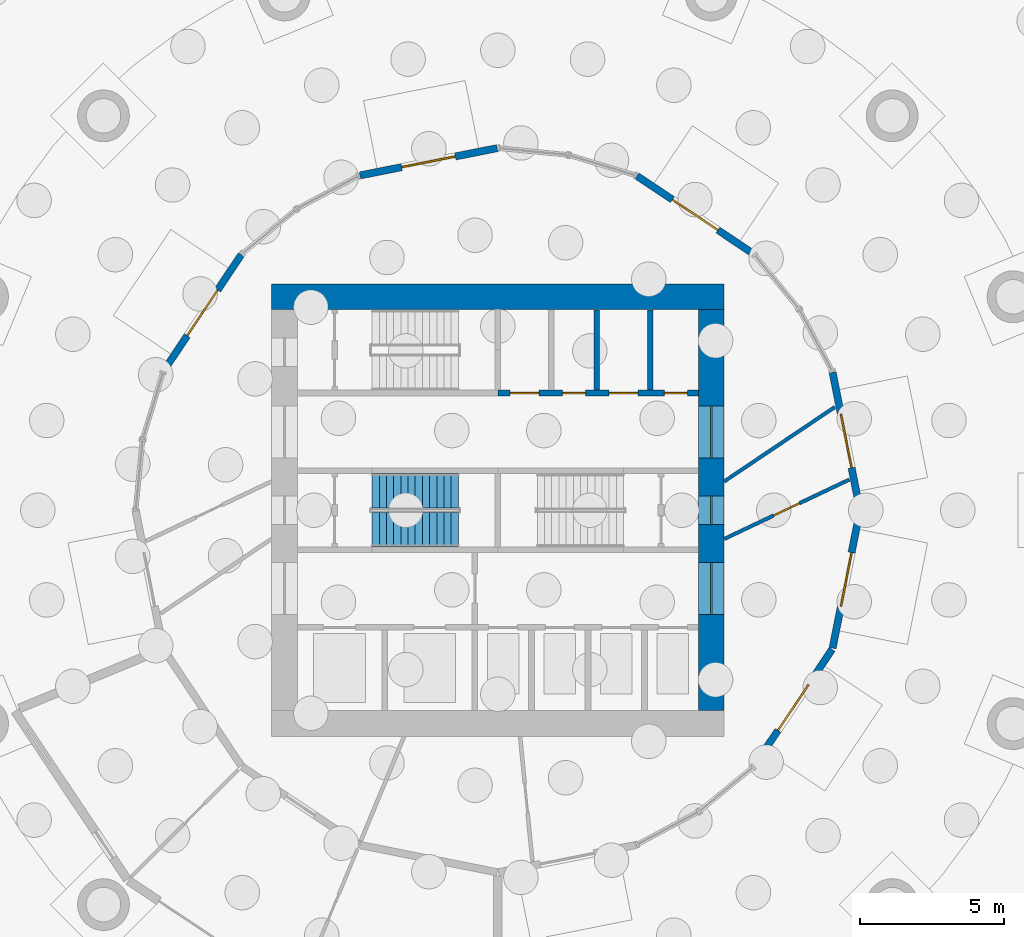
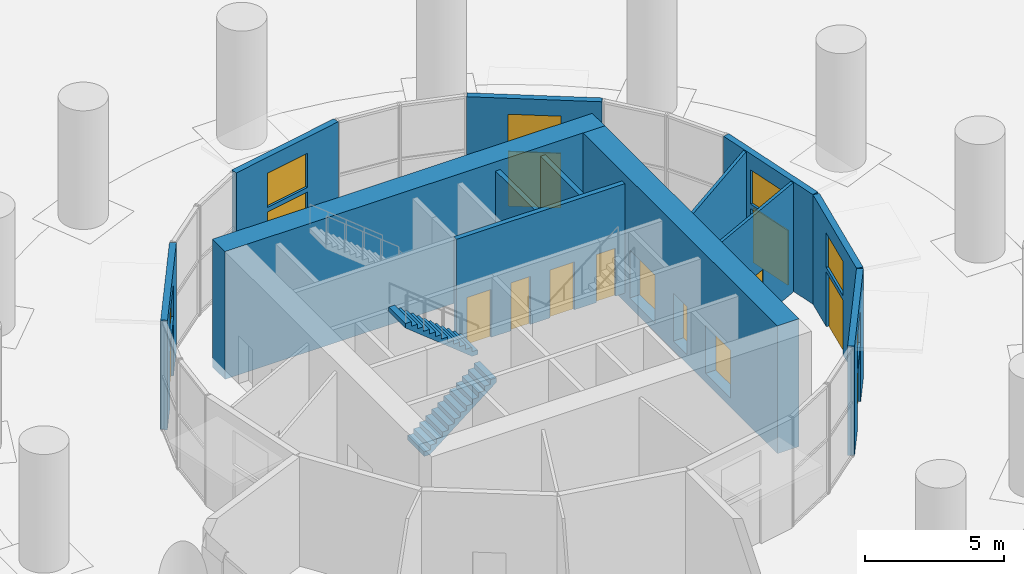
# One storey, part 7 of 10: 14 doors, 13 walls, 6 windows, 2 stair flights, 20 openings, 1 element without a shape of its own.
"""IFC4 building model written with IfcOpenShell, lengths in metres."""

from ifc_helpers import new_model, si_unit, direction, frame, frame_2d, origin, place, context, subcontext, project, spatial, polyline, rectangle, outline, extrude, material, layer, layer_set, type_object, element, fill, aggregate, save


model = new_model("IFC4")

# Units and contexts
model_context = context("Model", 3, precision=1e-05, world=origin(), true_north=direction((0.0, 1.0)))
body_context = subcontext(model_context, "Body", "Model", "MODEL_VIEW")
ifc_project = project(units=[si_unit("LENGTHUNIT", "METRE"), si_unit("AREAUNIT", "SQUARE_METRE"), si_unit("VOLUMEUNIT", "CUBIC_METRE"), si_unit("PLANEANGLEUNIT", "RADIAN"), si_unit("MASSUNIT", "GRAM", prefix="KILO")], contexts=[model_context])

# Site, building, storey
site_placement = place(None, origin())
site = spatial("IfcSite", under=ifc_project, at=site_placement, CompositionType="ELEMENT")
building_placement = place(site_placement, origin())
building = spatial("IfcBuilding", under=site, at=building_placement, Name="Polderwave Tower", CompositionType="ELEMENT")
storey_placement = place(building_placement, origin())
storey = spatial("IfcBuildingStorey", under=building, at=storey_placement, Name="L00", CompositionType="ELEMENT", Elevation=0.0)

# Wall
ifc_material_1 = material(Name="Concrete C80/95", Category="concrete")
ifc_layer_1 = layer(ifc_material_1, 0.89990234375)
ifc_layer_set_1 = layer_set([ifc_layer_1], Name="CORE WALL 900 C80/95")
wall_type_1 = type_object("IfcWallType", Name="CORE WALL 900 C80/95", PredefinedType="SHEAR", material=ifc_layer_set_1)
wall_1_placement = place(storey_placement, frame((-7.8740234375, 7.424072265625, -0.39990234375), z_axis=(0.0, 0.0, 1.0), x_axis=(1.0, 0.0, 0.0)))
element("IfcWall", 1, at=wall_1_placement, inside=storey, type_object=wall_type_1, Name="ST-CORE-L00-N", PredefinedType="SHEAR", context=body_context, shape_type="SweptSolid", body=[
    extrude(rectangle(XDim=15.748046875, YDim=0.89990234375, at=frame_2d((7.8740234375, 0.0))), origin(), (0.0, 0.0, 1.0), 5.599853515625),
])

# Wall, openings, doors
wall_2_placement = place(storey_placement, frame((7.424072265625, -6.97412109375, -0.39990234375), z_axis=(0.0, 0.0, 1.0), x_axis=(0.0, 1.0, 0.0)))
wall_2 = element("IfcWall", 2, at=wall_2_placement, inside=storey, type_object=wall_type_1, Name="ST-CORE-L00-E", PredefinedType="SHEAR", context=body_context, shape_type="SweptSolid", body=[
    extrude(rectangle(XDim=13.9482421875, YDim=0.89990234375, at=frame_2d((6.97412109375, 0.0))), origin(), (0.0, 0.0, 1.0), 5.599853515625),
])
opening_1_placement = place(wall_2_placement, frame((6.47412109375, 0.0, 0.39990234375)))
opening_1 = element("IfcOpeningElement", 3, at=opening_1_placement, cuts=wall_2, Name="Opening L00-D22", PredefinedType="OPENING", context=body_context, shape_type="SweptSolid", body=[
    extrude(rectangle(XDim=1.0, YDim=2.10009765625, at=frame_2d((0.5, 1.050048828125))), frame((0.0, 0.4599609375, 0.0), z_axis=(0.0, -1.0, 0.0), x_axis=(1.0, 0.0, 0.0)), (0.0, 0.0, 1.0), 0.919921875),
])
opening_2_placement = place(wall_2_placement, frame((3.349609375, 0.0, 0.39990234375)))
opening_2 = element("IfcOpeningElement", 4, at=opening_2_placement, cuts=wall_2, Name="Opening L00-D23", PredefinedType="OPENING", context=body_context, shape_type="SweptSolid", body=[
    extrude(rectangle(XDim=1.800048828125, YDim=2.10009765625, at=frame_2d((0.89990234375, 1.050048828125))), frame((0.0, 0.4599609375, 0.0), z_axis=(0.0, -1.0, 0.0), x_axis=(1.0, 0.0, 0.0)), (0.0, 0.0, 1.0), 0.919921875),
])
opening_3_placement = place(wall_2_placement, frame((8.798583984375, 0.0, 0.39990234375)))
opening_3 = element("IfcOpeningElement", 5, at=opening_3_placement, cuts=wall_2, Name="Opening L00-D24", PredefinedType="OPENING", context=body_context, shape_type="SweptSolid", body=[
    extrude(rectangle(XDim=1.800048828125, YDim=2.10009765625, at=frame_2d((0.89990234375, 1.050048828125))), frame((0.0, 0.4599609375, 0.0), z_axis=(0.0, -1.0, 0.0), x_axis=(1.0, 0.0, 0.0)), (0.0, 0.0, 1.0), 0.919921875),
])
ifc_material_2 = material(Name="Steel fire door", Category="steel")
door_type_1 = type_object("IfcDoorType", Name="Lobby entry door pair 1800", OperationType="DOUBLE_DOOR_SINGLE_SWING", PredefinedType="DOOR", material=ifc_material_2)
door_1_placement = place(opening_2_placement, frame((1.800048828125, 0.0, 0.0), z_axis=(0.0, 0.0, 1.0), x_axis=(-1.0, 0.0, 0.0)))
door_1 = element("IfcDoor", 6, at=door_1_placement, inside=storey, type_object=door_type_1, Name="South lobby entry door", OperationType="DOUBLE_DOOR_SINGLE_SWING", OverallHeight=2.10009765625, OverallWidth=1.800048828125, PredefinedType="DOOR", context=body_context, shape_type="SweptSolid", body=[
    extrude(rectangle(XDim=1.800048828125, YDim=2.10009765625, at=frame_2d((0.89990234375, 1.050048828125))), frame((0.0, 0.02490234375, 0.0), z_axis=(0.0, -1.0, 0.0), x_axis=(1.0, 0.0, 0.0)), (0.0, 0.0, 1.0), 0.050048828125),
])
fill(opening_2, door_1)
door_2_placement = place(opening_3_placement, frame((1.800048828125, 0.0, 0.0), z_axis=(0.0, 0.0, 1.0), x_axis=(-1.0, 0.0, 0.0)))
door_2 = element("IfcDoor", 7, at=door_2_placement, inside=storey, type_object=door_type_1, Name="North lobby entry door", OperationType="DOUBLE_DOOR_SINGLE_SWING", OverallHeight=2.10009765625, OverallWidth=1.800048828125, PredefinedType="DOOR", context=body_context, shape_type="SweptSolid", body=[
    extrude(rectangle(XDim=1.800048828125, YDim=2.10009765625, at=frame_2d((0.89990234375, 1.050048828125))), frame((0.0, 0.02490234375, 0.0), z_axis=(0.0, -1.0, 0.0), x_axis=(1.0, 0.0, 0.0)), (0.0, 0.0, 1.0), 0.050048828125),
])
fill(opening_3, door_2)
door_type_2 = type_object("IfcDoorType", Name="Stair door 1000", OperationType="NOTDEFINED", PredefinedType="DOOR", material=ifc_material_2)
door_3_placement = place(opening_1_placement, frame((1.0, 0.0, 0.0), z_axis=(0.0, 0.0, 1.0), x_axis=(-1.0, 0.0, 0.0)))
door_3 = element("IfcDoor", 8, at=door_3_placement, inside=storey, type_object=door_type_2, Name="Stair B entry door", OperationType="SINGLE_SWING_LEFT", OverallHeight=2.10009765625, OverallWidth=1.0, PredefinedType="DOOR", context=body_context, shape_type="SweptSolid", body=[
    extrude(rectangle(XDim=1.0, YDim=2.10009765625, at=frame_2d((0.5, 1.050048828125))), frame((0.0, 0.02490234375, 0.0), z_axis=(0.0, -1.0, 0.0), x_axis=(1.0, 0.0, 0.0)), (0.0, 0.0, 1.0), 0.050048828125),
])
fill(opening_1, door_3)

# Wall
ifc_material_3 = material(Name="Gypsum board partition")
ifc_layer_2 = layer(ifc_material_3, 0.199951171875)
ifc_layer_set_2 = layer_set([ifc_layer_2], Name="Core room partition 200")
wall_type_2 = type_object("IfcWallType", Name="Core room partition 200", PredefinedType="PARTITIONING", material=ifc_layer_set_2)
wall_3_placement = place(storey_placement, frame((3.444580078125, 4.174072265625, 0.0), z_axis=(0.0, 0.0, 1.0), x_axis=(0.0, 1.0, 0.0)))
element("IfcWall", 9, at=wall_3_placement, inside=storey, type_object=wall_type_2, Name="L00 room partition N2", PredefinedType="PARTITIONING", context=body_context, shape_type="SweptSolid", body=[
    extrude(rectangle(XDim=2.800048828125, YDim=0.199951171875, at=frame_2d((1.39990234375, 0.0))), origin(), (0.0, 0.0, 1.0), 4.800048828125),
])

# Wall, openings, doors
ifc_material_4 = material(Name="Concrete C50/60", Category="concrete")
ifc_layer_3 = layer(ifc_material_4, 0.199951171875)
ifc_layer_set_3 = layer_set([ifc_layer_3], Name="Core web wall 200")
wall_type_3 = type_object("IfcWallType", Name="Core web wall 200", PredefinedType="SHEAR", material=ifc_layer_set_3)
wall_4_placement = place(storey_placement, frame((0.0, 4.073974609375, 0.0), z_axis=(0.0, 0.0, 1.0), x_axis=(1.0, 0.0, 0.0)))
wall_4 = element("IfcWall", 10, at=wall_4_placement, inside=storey, type_object=wall_type_3, Name="L00 north front wall 2", PredefinedType="SHEAR", context=body_context, shape_type="SweptSolid", body=[
    extrude(rectangle(XDim=6.97412109375, YDim=0.199951171875, at=frame_2d((3.487060546875, 0.0))), origin(), (0.0, 0.0, 1.0), 4.800048828125),
])
opening_4_placement = place(wall_4_placement, frame((0.430419921875, 0.0, 0.0)))
opening_4 = element("IfcOpeningElement", 11, at=opening_4_placement, cuts=wall_4, Name="Opening L00-D14", PredefinedType="OPENING", context=body_context, shape_type="SweptSolid", body=[
    extrude(rectangle(XDim=1.0, YDim=2.10009765625, at=frame_2d((0.5, 1.050048828125))), frame((0.0, 0.10986328125, 0.0), z_axis=(0.0, -1.0, 0.0), x_axis=(1.0, 0.0, 0.0)), (0.0, 0.0, 1.0), 0.219970703125),
])
opening_5_placement = place(wall_4_placement, frame((2.252685546875, 0.0, 0.0)))
opening_5 = element("IfcOpeningElement", 12, at=opening_5_placement, cuts=wall_4, Name="Opening L00-D15", PredefinedType="OPENING", context=body_context, shape_type="SweptSolid", body=[
    extrude(rectangle(XDim=0.800048828125, YDim=2.10009765625, at=frame_2d((0.39990234375, 1.050048828125))), frame((0.0, 0.10986328125, 0.0), z_axis=(0.0, -1.0, 0.0), x_axis=(1.0, 0.0, 0.0)), (0.0, 0.0, 1.0), 0.219970703125),
])
opening_6_placement = place(wall_4_placement, frame((3.875, 0.0, 0.0)))
opening_6 = element("IfcOpeningElement", 13, at=opening_6_placement, cuts=wall_4, Name="Opening L00-D16", PredefinedType="OPENING", context=body_context, shape_type="SweptSolid", body=[
    extrude(rectangle(XDim=1.0, YDim=2.10009765625, at=frame_2d((0.5, 1.050048828125))), frame((0.0, 0.10986328125, 0.0), z_axis=(0.0, -1.0, 0.0), x_axis=(1.0, 0.0, 0.0)), (0.0, 0.0, 1.0), 0.219970703125),
])
opening_7_placement = place(wall_4_placement, frame((5.789794921875, 0.0, 0.0)))
opening_7 = element("IfcOpeningElement", 14, at=opening_7_placement, cuts=wall_4, Name="Opening L00-D17", PredefinedType="OPENING", context=body_context, shape_type="SweptSolid", body=[
    extrude(rectangle(XDim=0.800048828125, YDim=2.10009765625, at=frame_2d((0.39990234375, 1.050048828125))), frame((0.0, 0.10986328125, 0.0), z_axis=(0.0, -1.0, 0.0), x_axis=(1.0, 0.0, 0.0)), (0.0, 0.0, 1.0), 0.219970703125),
])
ifc_material_5 = material(Name="Timber door leaf", Category="wood")
door_type_3 = type_object("IfcDoorType", Name="Accessible WC door 1000", OperationType="NOTDEFINED", PredefinedType="DOOR", material=ifc_material_5)
door_4_placement = place(opening_4_placement, origin())
door_4 = element("IfcDoor", 15, at=door_4_placement, inside=storey, type_object=door_type_3, Name="Accessible WC door", OperationType="SINGLE_SWING_LEFT", OverallHeight=2.10009765625, OverallWidth=1.0, PredefinedType="DOOR", context=body_context, shape_type="SweptSolid", body=[
    extrude(rectangle(XDim=1.0, YDim=2.10009765625, at=frame_2d((0.5, 1.050048828125))), frame((0.0, 0.02490234375, 0.0), z_axis=(0.0, -1.0, 0.0), x_axis=(1.0, 0.0, 0.0)), (0.0, 0.0, 1.0), 0.050048828125),
])
fill(opening_4, door_4)
door_type_4 = type_object("IfcDoorType", Name="Riser door 800", OperationType="NOTDEFINED", PredefinedType="DOOR", material=ifc_material_2)
door_5_placement = place(opening_5_placement, frame((0.800048828125, 0.0, 0.0), z_axis=(0.0, 0.0, 1.0), x_axis=(-1.0, 0.0, 0.0)))
door_5 = element("IfcDoor", 16, at=door_5_placement, inside=storey, type_object=door_type_4, Name="Communications room door", OperationType="SINGLE_SWING_RIGHT", OverallHeight=2.10009765625, OverallWidth=0.800048828125, PredefinedType="DOOR", context=body_context, shape_type="SweptSolid", body=[
    extrude(rectangle(XDim=0.800048828125, YDim=2.10009765625, at=frame_2d((0.39990234375, 1.050048828125))), frame((0.0, 0.02490234375, 0.0), z_axis=(0.0, -1.0, 0.0), x_axis=(1.0, 0.0, 0.0)), (0.0, 0.0, 1.0), 0.050048828125),
])
fill(opening_5, door_5)
door_6_placement = place(opening_7_placement, frame((0.800048828125, 0.0, 0.0), z_axis=(0.0, 0.0, 1.0), x_axis=(-1.0, 0.0, 0.0)))
door_6 = element("IfcDoor", 17, at=door_6_placement, inside=storey, type_object=door_type_4, Name="Riser door", OperationType="SINGLE_SWING_LEFT", OverallHeight=2.10009765625, OverallWidth=0.800048828125, PredefinedType="DOOR", context=body_context, shape_type="SweptSolid", body=[
    extrude(rectangle(XDim=0.800048828125, YDim=2.10009765625, at=frame_2d((0.39990234375, 1.050048828125))), frame((0.0, 0.02490234375, 0.0), z_axis=(0.0, -1.0, 0.0), x_axis=(1.0, 0.0, 0.0)), (0.0, 0.0, 1.0), 0.050048828125),
])
fill(opening_7, door_6)
door_type_5 = type_object("IfcDoorType", Name="Room door 1000", OperationType="NOTDEFINED", PredefinedType="DOOR", material=ifc_material_5)
door_7_placement = place(opening_6_placement, origin())
door_7 = element("IfcDoor", 18, at=door_7_placement, inside=storey, type_object=door_type_5, Name="Cleaner's store door", OperationType="SINGLE_SWING_RIGHT", OverallHeight=2.10009765625, OverallWidth=1.0, PredefinedType="DOOR", context=body_context, shape_type="SweptSolid", body=[
    extrude(rectangle(XDim=1.0, YDim=2.10009765625, at=frame_2d((0.5, 1.050048828125))), frame((0.0, 0.02490234375, 0.0), z_axis=(0.0, -1.0, 0.0), x_axis=(1.0, 0.0, 0.0)), (0.0, 0.0, 1.0), 0.050048828125),
])
fill(opening_6, door_7)

# Wall
ifc_material_6 = material(Name="Fire-resisting board on steel studs", Category="steel")
ifc_layer_4 = layer(ifc_material_6, 0.125)
ifc_layer_set_4 = layer_set([ifc_layer_4], Name="Corridor wall 125 mm EI 60")
wall_type_4 = type_object("IfcWallType", Name="Corridor wall 125 mm EI 60", PredefinedType="PARTITIONING", material=ifc_layer_set_4)
wall_5_placement = place(storey_placement, frame((11.722900390625, 3.589111328125, 0.0), z_axis=(0.0, 0.0, 1.0), x_axis=(-0.829735405584, -0.5581569284, 0.0)))
element("IfcWall", 19, at=wall_5_placement, inside=storey, type_object=wall_type_4, Name="IN-L00-W001", PredefinedType="PARTITIONING", context=body_context, shape_type="SweptSolid", body=[
    extrude(rectangle(XDim=4.638671875, YDim=0.125, at=frame_2d((2.3193359375, 0.0))), origin(), (0.0, 0.0, 1.0), 4.800048828125),
])

# Wall, opening, door
wall_6_placement = place(storey_placement, frame((7.8740234375, -1.0, 0.0), z_axis=(0.0, 0.0, 1.0), x_axis=(0.90340417802, 0.428790031527, 0.0)))
wall_6 = element("IfcWall", 20, at=wall_6_placement, inside=storey, type_object=wall_type_4, Name="IN-L00-W005", PredefinedType="PARTITIONING", context=body_context, shape_type="SweptSolid", body=[
    extrude(rectangle(XDim=4.81640625, YDim=0.125, at=frame_2d((2.408203125, 0.0))), origin(), (0.0, 0.0, 1.0), 4.800048828125),
])
opening_8_placement = place(wall_6_placement, frame((1.89990234375, 0.0, 0.0)))
opening_8 = element("IfcOpeningElement", 21, at=opening_8_placement, cuts=wall_6, Name="Opening L00-D51", PredefinedType="OPENING", context=body_context, shape_type="SweptSolid", body=[
    extrude(rectangle(XDim=1.0, YDim=2.10009765625, at=frame_2d((0.5, 1.050048828125))), frame((0.0, 0.072509765625, 0.0), z_axis=(0.0, -1.0, 0.0), x_axis=(1.0, 0.0, 0.0)), (0.0, 0.0, 1.0), 0.14501953125),
])
ifc_material_7 = material(Name="Timber fire door leaf", Category="wood")
door_type_6 = type_object("IfcDoorType", Name="Fire door FD30S 1000 x 2100", OperationType="NOTDEFINED", PredefinedType="DOOR", material=ifc_material_7)
door_8_placement = place(opening_8_placement, origin())
door_8 = element("IfcDoor", 22, at=door_8_placement, inside=storey, type_object=door_type_6, Name="Door L00-D51", OperationType="SINGLE_SWING_LEFT", OverallHeight=2.10009765625, OverallWidth=1.0, PredefinedType="DOOR", context=body_context, shape_type="SweptSolid", body=[
    extrude(rectangle(XDim=1.0, YDim=2.10009765625, at=frame_2d((0.5, 1.050048828125))), frame((0.0, 0.02490234375, 0.0), z_axis=(0.0, -1.0, 0.0), x_axis=(1.0, 0.0, 0.0)), (0.0, 0.0, 1.0), 0.050048828125),
])
fill(opening_8, door_8)

# Wall, openings, window, door
ifc_material_8 = material(Name="Precast concrete C40/50", Category="concrete")
ifc_layer_5 = layer(ifc_material_8, 0.25)
ifc_layer_set_5 = layer_set([ifc_layer_5], Name="Entrance ring wall C40/50")
wall_type_5 = type_object("IfcWallType", Name="Entrance ring wall C40/50", PredefinedType="SOLIDWALL", material=ifc_layer_set_5)
wall_7_placement = place(storey_placement, frame((11.645751953125, 4.79736328125, 0.0), z_axis=(0.0, 0.0, 1.0), x_axis=(0.195103024496, -0.980782753637, 0.0)))
wall_7 = element("IfcWall", 23, at=wall_7_placement, inside=storey, type_object=wall_type_5, Name="Entrance ring wall 1", PredefinedType="SOLIDWALL", context=body_context, shape_type="SweptSolid", body=[
    extrude(rectangle(XDim=4.866455078125, YDim=0.25, at=frame_2d((2.43310546875, 0.0))), origin(), (0.0, 0.0, 1.0), 4.800048828125),
])
opening_9_placement = place(wall_7_placement, frame((1.480712890625, 0.0, 0.0)))
opening_9 = element("IfcOpeningElement", 24, at=opening_9_placement, cuts=wall_7, Name="Opening L00-D401", PredefinedType="OPENING", context=body_context, shape_type="SweptSolid", body=[
    extrude(rectangle(XDim=1.905029296875, YDim=2.39990234375, at=frame_2d((0.95263671875, 1.199951171875))), frame((0.0, 0.135009765625, 0.0), z_axis=(0.0, -1.0, 0.0), x_axis=(1.0, 0.0, 0.0)), (0.0, 0.0, 1.0), 0.27001953125),
])
opening_10_placement = place(wall_7_placement, frame((1.480712890625, 0.0, 2.60009765625)))
opening_10 = element("IfcOpeningElement", 25, at=opening_10_placement, cuts=wall_7, Name="Opening L00-W401", PredefinedType="OPENING", context=body_context, shape_type="SweptSolid", body=[
    extrude(rectangle(XDim=1.905029296875, YDim=1.5, at=frame_2d((0.95263671875, 0.75))), frame((0.0, 0.135009765625, 0.0), z_axis=(0.0, -1.0, 0.0), x_axis=(1.0, 0.0, 0.0)), (0.0, 0.0, 1.0), 0.27001953125),
])
ifc_material_9 = material(Name="Aluminium 6063-T6 and glass", Category="aluminium")
window_type = type_object("IfcWindowType", Name="Entrance clerestory window", PartitioningType="SINGLE_PANEL", PredefinedType="WINDOW", material=ifc_material_9)
window_1_placement = place(opening_10_placement, origin())
window_1 = element("IfcWindow", 26, at=window_1_placement, inside=storey, type_object=window_type, Name="Entrance clerestory window 1", OverallHeight=1.5, OverallWidth=1.905029296875, PartitioningType="SINGLE_PANEL", PredefinedType="WINDOW", context=body_context, shape_type="SweptSolid", body=[
    extrude(rectangle(XDim=1.905029296875, YDim=1.5, at=frame_2d((0.95263671875, 0.75))), frame((0.0, 0.030029296875, 0.0), z_axis=(0.0, -1.0, 0.0), x_axis=(1.0, 0.0, 0.0)), (0.0, 0.0, 1.0), 0.06005859375),
])
fill(opening_10, window_1)
door_type_7 = type_object("IfcDoorType", Name="Entrance double door 1900", OperationType="DOUBLE_DOOR_DOUBLE_SWING", PredefinedType="DOOR", material=ifc_material_9)
door_9_placement = place(opening_9_placement, origin())
door_9 = element("IfcDoor", 27, at=door_9_placement, inside=storey, type_object=door_type_7, Name="Exit door E1", OperationType="DOUBLE_DOOR_DOUBLE_SWING", OverallHeight=2.39990234375, OverallWidth=1.905029296875, PredefinedType="DOOR", context=body_context, shape_type="SweptSolid", body=[
    extrude(rectangle(XDim=1.905029296875, YDim=2.39990234375, at=frame_2d((0.95263671875, 1.199951171875))), frame((0.0, 0.02490234375, 0.0), z_axis=(0.0, -1.0, 0.0), x_axis=(1.0, 0.0, 0.0)), (0.0, 0.0, 1.0), 0.050048828125),
])
fill(opening_9, door_9)

wall_8_placement = place(storey_placement, frame((4.842529296875, 11.627197265625, 0.0), z_axis=(0.0, 0.0, 1.0), x_axis=(0.831455539634, -0.555591293679, 0.0)))
wall_8 = element("IfcWall", 28, at=wall_8_placement, inside=storey, type_object=wall_type_5, Name="Entrance ring wall 3", PredefinedType="SOLIDWALL", context=body_context, shape_type="SweptSolid", body=[
    extrude(rectangle(XDim=4.86669921875, YDim=0.25, at=frame_2d((2.433349609375, 0.0))), origin(), (0.0, 0.0, 1.0), 4.800048828125),
])
opening_11_placement = place(wall_8_placement, frame((1.480712890625, 0.0, 0.0)))
opening_11 = element("IfcOpeningElement", 29, at=opening_11_placement, cuts=wall_8, Name="Opening L00-D402", PredefinedType="OPENING", context=body_context, shape_type="SweptSolid", body=[
    extrude(rectangle(XDim=1.905029296875, YDim=2.39990234375, at=frame_2d((0.95263671875, 1.199951171875))), frame((0.0, 0.135009765625, 0.0), z_axis=(0.0, -1.0, 0.0), x_axis=(1.0, 0.0, 0.0)), (0.0, 0.0, 1.0), 0.27001953125),
])
opening_12_placement = place(wall_8_placement, frame((1.480712890625, 0.0, 2.60009765625)))
opening_12 = element("IfcOpeningElement", 30, at=opening_12_placement, cuts=wall_8, Name="Opening L00-W402", PredefinedType="OPENING", context=body_context, shape_type="SweptSolid", body=[
    extrude(rectangle(XDim=1.905029296875, YDim=1.5, at=frame_2d((0.95263671875, 0.75))), frame((0.0, 0.135009765625, 0.0), z_axis=(0.0, -1.0, 0.0), x_axis=(1.0, 0.0, 0.0)), (0.0, 0.0, 1.0), 0.27001953125),
])
window_2_placement = place(opening_12_placement, origin())
window_2 = element("IfcWindow", 31, at=window_2_placement, inside=storey, type_object=window_type, Name="Entrance clerestory window 2", OverallHeight=1.5, OverallWidth=1.905029296875, PartitioningType="SINGLE_PANEL", PredefinedType="WINDOW", context=body_context, shape_type="SweptSolid", body=[
    extrude(rectangle(XDim=1.905029296875, YDim=1.5, at=frame_2d((0.95263671875, 0.75))), frame((0.0, 0.030029296875, 0.0), z_axis=(0.0, -1.0, 0.0), x_axis=(1.0, 0.0, 0.0)), (0.0, 0.0, 1.0), 0.06005859375),
])
fill(opening_12, window_2)
door_10_placement = place(opening_11_placement, origin())
door_10 = element("IfcDoor", 32, at=door_10_placement, inside=storey, type_object=door_type_7, Name="Exit door E2", OperationType="DOUBLE_DOOR_DOUBLE_SWING", OverallHeight=2.39990234375, OverallWidth=1.905029296875, PredefinedType="DOOR", context=body_context, shape_type="SweptSolid", body=[
    extrude(rectangle(XDim=1.905029296875, YDim=2.39990234375, at=frame_2d((0.95263671875, 1.199951171875))), frame((0.0, 0.02490234375, 0.0), z_axis=(0.0, -1.0, 0.0), x_axis=(1.0, 0.0, 0.0)), (0.0, 0.0, 1.0), 0.050048828125),
])
fill(opening_11, door_10)

wall_9_placement = place(storey_placement, frame((-4.79736328125, 11.645751953125, 0.0), z_axis=(0.0, 0.0, 1.0), x_axis=(0.980782753637, 0.195103024496, 0.0)))
wall_9 = element("IfcWall", 33, at=wall_9_placement, inside=storey, type_object=wall_type_5, Name="Entrance ring wall 5", PredefinedType="SOLIDWALL", context=body_context, shape_type="SweptSolid", body=[
    extrude(rectangle(XDim=4.866455078125, YDim=0.25, at=frame_2d((2.43310546875, 0.0))), origin(), (0.0, 0.0, 1.0), 4.800048828125),
])
opening_13_placement = place(wall_9_placement, frame((1.480712890625, 0.0, 0.0)))
opening_13 = element("IfcOpeningElement", 34, at=opening_13_placement, cuts=wall_9, Name="Opening L00-D403", PredefinedType="OPENING", context=body_context, shape_type="SweptSolid", body=[
    extrude(rectangle(XDim=1.905029296875, YDim=2.39990234375, at=frame_2d((0.95263671875, 1.199951171875))), frame((0.0, 0.135009765625, 0.0), z_axis=(0.0, -1.0, 0.0), x_axis=(1.0, 0.0, 0.0)), (0.0, 0.0, 1.0), 0.27001953125),
])
opening_14_placement = place(wall_9_placement, frame((1.480712890625, 0.0, 2.60009765625)))
opening_14 = element("IfcOpeningElement", 35, at=opening_14_placement, cuts=wall_9, Name="Opening L00-W403", PredefinedType="OPENING", context=body_context, shape_type="SweptSolid", body=[
    extrude(rectangle(XDim=1.905029296875, YDim=1.5, at=frame_2d((0.95263671875, 0.75))), frame((0.0, 0.135009765625, 0.0), z_axis=(0.0, -1.0, 0.0), x_axis=(1.0, 0.0, 0.0)), (0.0, 0.0, 1.0), 0.27001953125),
])
window_3_placement = place(opening_14_placement, origin())
window_3 = element("IfcWindow", 36, at=window_3_placement, inside=storey, type_object=window_type, Name="Entrance clerestory window 3", OverallHeight=1.5, OverallWidth=1.905029296875, PartitioningType="SINGLE_PANEL", PredefinedType="WINDOW", context=body_context, shape_type="SweptSolid", body=[
    extrude(rectangle(XDim=1.905029296875, YDim=1.5, at=frame_2d((0.95263671875, 0.75))), frame((0.0, 0.030029296875, 0.0), z_axis=(0.0, -1.0, 0.0), x_axis=(1.0, 0.0, 0.0)), (0.0, 0.0, 1.0), 0.06005859375),
])
fill(opening_14, window_3)
door_11_placement = place(opening_13_placement, origin())
door_11 = element("IfcDoor", 37, at=door_11_placement, inside=storey, type_object=door_type_7, Name="Exit door E3", OperationType="DOUBLE_DOOR_DOUBLE_SWING", OverallHeight=2.39990234375, OverallWidth=1.905029296875, PredefinedType="DOOR", context=body_context, shape_type="SweptSolid", body=[
    extrude(rectangle(XDim=1.905029296875, YDim=2.39990234375, at=frame_2d((0.95263671875, 1.199951171875))), frame((0.0, 0.02490234375, 0.0), z_axis=(0.0, -1.0, 0.0), x_axis=(1.0, 0.0, 0.0)), (0.0, 0.0, 1.0), 0.050048828125),
])
fill(opening_13, door_11)

wall_10_placement = place(storey_placement, frame((-11.627197265625, 4.842529296875, 0.0), z_axis=(0.0, 0.0, 1.0), x_axis=(0.555591293679, 0.831455539634, 0.0)))
wall_10 = element("IfcWall", 38, at=wall_10_placement, inside=storey, type_object=wall_type_5, Name="Entrance ring wall 7", PredefinedType="SOLIDWALL", context=body_context, shape_type="SweptSolid", body=[
    extrude(rectangle(XDim=4.86669921875, YDim=0.25, at=frame_2d((2.433349609375, 0.0))), origin(), (0.0, 0.0, 1.0), 4.800048828125),
])
opening_15_placement = place(wall_10_placement, frame((1.480712890625, 0.0, 0.0)))
opening_15 = element("IfcOpeningElement", 39, at=opening_15_placement, cuts=wall_10, Name="Opening L00-D404", PredefinedType="OPENING", context=body_context, shape_type="SweptSolid", body=[
    extrude(rectangle(XDim=1.905029296875, YDim=2.39990234375, at=frame_2d((0.95263671875, 1.199951171875))), frame((0.0, 0.135009765625, 0.0), z_axis=(0.0, -1.0, 0.0), x_axis=(1.0, 0.0, 0.0)), (0.0, 0.0, 1.0), 0.27001953125),
])
opening_16_placement = place(wall_10_placement, frame((1.480712890625, 0.0, 2.60009765625)))
opening_16 = element("IfcOpeningElement", 40, at=opening_16_placement, cuts=wall_10, Name="Opening L00-W404", PredefinedType="OPENING", context=body_context, shape_type="SweptSolid", body=[
    extrude(rectangle(XDim=1.905029296875, YDim=1.5, at=frame_2d((0.95263671875, 0.75))), frame((0.0, 0.135009765625, 0.0), z_axis=(0.0, -1.0, 0.0), x_axis=(1.0, 0.0, 0.0)), (0.0, 0.0, 1.0), 0.27001953125),
])
window_4_placement = place(opening_16_placement, origin())
window_4 = element("IfcWindow", 41, at=window_4_placement, inside=storey, type_object=window_type, Name="Entrance clerestory window 4", OverallHeight=1.5, OverallWidth=1.905029296875, PartitioningType="SINGLE_PANEL", PredefinedType="WINDOW", context=body_context, shape_type="SweptSolid", body=[
    extrude(rectangle(XDim=1.905029296875, YDim=1.5, at=frame_2d((0.95263671875, 0.75))), frame((0.0, 0.030029296875, 0.0), z_axis=(0.0, -1.0, 0.0), x_axis=(1.0, 0.0, 0.0)), (0.0, 0.0, 1.0), 0.06005859375),
])
fill(opening_16, window_4)
door_12_placement = place(opening_15_placement, origin())
door_12 = element("IfcDoor", 42, at=door_12_placement, inside=storey, type_object=door_type_7, Name="Exit door E4", OperationType="DOUBLE_DOOR_DOUBLE_SWING", OverallHeight=2.39990234375, OverallWidth=1.905029296875, PredefinedType="DOOR", context=body_context, shape_type="SweptSolid", body=[
    extrude(rectangle(XDim=1.905029296875, YDim=2.39990234375, at=frame_2d((0.95263671875, 1.199951171875))), frame((0.0, 0.02490234375, 0.0), z_axis=(0.0, -1.0, 0.0), x_axis=(1.0, 0.0, 0.0)), (0.0, 0.0, 1.0), 0.050048828125),
])
fill(opening_15, door_12)

wall_11_placement = place(storey_placement, frame((11.627197265625, -4.842529296875, 0.0), z_axis=(0.0, 0.0, 1.0), x_axis=(-0.555591293679, -0.831455539634, 0.0)))
wall_11 = element("IfcWall", 43, at=wall_11_placement, inside=storey, type_object=wall_type_5, Name="Entrance ring wall 15", PredefinedType="SOLIDWALL", context=body_context, shape_type="SweptSolid", body=[
    extrude(rectangle(XDim=4.86669921875, YDim=0.25, at=frame_2d((2.433349609375, 0.0))), origin(), (0.0, 0.0, 1.0), 4.800048828125),
])
opening_17_placement = place(wall_11_placement, frame((1.480712890625, 0.0, 0.0)))
opening_17 = element("IfcOpeningElement", 44, at=opening_17_placement, cuts=wall_11, Name="Opening L00-D407", PredefinedType="OPENING", context=body_context, shape_type="SweptSolid", body=[
    extrude(rectangle(XDim=1.905029296875, YDim=2.39990234375, at=frame_2d((0.95263671875, 1.199951171875))), frame((0.0, 0.135009765625, 0.0), z_axis=(0.0, -1.0, 0.0), x_axis=(1.0, 0.0, 0.0)), (0.0, 0.0, 1.0), 0.27001953125),
])
opening_18_placement = place(wall_11_placement, frame((1.480712890625, 0.0, 2.60009765625)))
opening_18 = element("IfcOpeningElement", 45, at=opening_18_placement, cuts=wall_11, Name="Opening L00-W407", PredefinedType="OPENING", context=body_context, shape_type="SweptSolid", body=[
    extrude(rectangle(XDim=1.905029296875, YDim=1.5, at=frame_2d((0.95263671875, 0.75))), frame((0.0, 0.135009765625, 0.0), z_axis=(0.0, -1.0, 0.0), x_axis=(1.0, 0.0, 0.0)), (0.0, 0.0, 1.0), 0.27001953125),
])
window_5_placement = place(opening_18_placement, origin())
window_5 = element("IfcWindow", 46, at=window_5_placement, inside=storey, type_object=window_type, Name="Entrance clerestory window 7", OverallHeight=1.5, OverallWidth=1.905029296875, PartitioningType="SINGLE_PANEL", PredefinedType="WINDOW", context=body_context, shape_type="SweptSolid", body=[
    extrude(rectangle(XDim=1.905029296875, YDim=1.5, at=frame_2d((0.95263671875, 0.75))), frame((0.0, 0.030029296875, 0.0), z_axis=(0.0, -1.0, 0.0), x_axis=(1.0, 0.0, 0.0)), (0.0, 0.0, 1.0), 0.06005859375),
])
fill(opening_18, window_5)
door_13_placement = place(opening_17_placement, origin())
door_13 = element("IfcDoor", 47, at=door_13_placement, inside=storey, type_object=door_type_7, Name="Exit door E7", OperationType="DOUBLE_DOOR_DOUBLE_SWING", OverallHeight=2.39990234375, OverallWidth=1.905029296875, PredefinedType="DOOR", context=body_context, shape_type="SweptSolid", body=[
    extrude(rectangle(XDim=1.905029296875, YDim=2.39990234375, at=frame_2d((0.95263671875, 1.199951171875))), frame((0.0, 0.02490234375, 0.0), z_axis=(0.0, -1.0, 0.0), x_axis=(1.0, 0.0, 0.0)), (0.0, 0.0, 1.0), 0.050048828125),
])
fill(opening_17, door_13)

wall_12_placement = place(storey_placement, frame((12.59521484375, -0.0244140625, 0.0), z_axis=(0.0, 0.0, 1.0), x_axis=(-0.195103024496, -0.980782753637, 0.0)))
wall_12 = element("IfcWall", 48, at=wall_12_placement, inside=storey, type_object=wall_type_5, Name="Entrance ring wall 16", PredefinedType="SOLIDWALL", context=body_context, shape_type="SweptSolid", body=[
    extrude(rectangle(XDim=4.866455078125, YDim=0.25, at=frame_2d((2.43310546875, 0.0))), origin(), (0.0, 0.0, 1.0), 4.800048828125),
])
opening_19_placement = place(wall_12_placement, frame((1.480712890625, 0.0, 0.0)))
opening_19 = element("IfcOpeningElement", 49, at=opening_19_placement, cuts=wall_12, Name="Opening L00-D408", PredefinedType="OPENING", context=body_context, shape_type="SweptSolid", body=[
    extrude(rectangle(XDim=1.905029296875, YDim=2.39990234375, at=frame_2d((0.95263671875, 1.199951171875))), frame((0.0, 0.135009765625, 0.0), z_axis=(0.0, -1.0, 0.0), x_axis=(1.0, 0.0, 0.0)), (0.0, 0.0, 1.0), 0.27001953125),
])
opening_20_placement = place(wall_12_placement, frame((1.480712890625, 0.0, 2.60009765625)))
opening_20 = element("IfcOpeningElement", 50, at=opening_20_placement, cuts=wall_12, Name="Opening L00-W408", PredefinedType="OPENING", context=body_context, shape_type="SweptSolid", body=[
    extrude(rectangle(XDim=1.905029296875, YDim=1.5, at=frame_2d((0.95263671875, 0.75))), frame((0.0, 0.135009765625, 0.0), z_axis=(0.0, -1.0, 0.0), x_axis=(1.0, 0.0, 0.0)), (0.0, 0.0, 1.0), 0.27001953125),
])
window_6_placement = place(opening_20_placement, origin())
window_6 = element("IfcWindow", 51, at=window_6_placement, inside=storey, type_object=window_type, Name="Entrance clerestory window 8", OverallHeight=1.5, OverallWidth=1.905029296875, PartitioningType="SINGLE_PANEL", PredefinedType="WINDOW", context=body_context, shape_type="SweptSolid", body=[
    extrude(rectangle(XDim=1.905029296875, YDim=1.5, at=frame_2d((0.95263671875, 0.75))), frame((0.0, 0.030029296875, 0.0), z_axis=(0.0, -1.0, 0.0), x_axis=(1.0, 0.0, 0.0)), (0.0, 0.0, 1.0), 0.06005859375),
])
fill(opening_20, window_6)
door_14_placement = place(opening_19_placement, origin())
door_14 = element("IfcDoor", 52, at=door_14_placement, inside=storey, type_object=door_type_7, Name="Exit door E8", OperationType="DOUBLE_DOOR_DOUBLE_SWING", OverallHeight=2.39990234375, OverallWidth=1.905029296875, PredefinedType="DOOR", context=body_context, shape_type="SweptSolid", body=[
    extrude(rectangle(XDim=1.905029296875, YDim=2.39990234375, at=frame_2d((0.95263671875, 1.199951171875))), frame((0.0, 0.02490234375, 0.0), z_axis=(0.0, -1.0, 0.0), x_axis=(1.0, 0.0, 0.0)), (0.0, 0.0, 1.0), 0.050048828125),
])
fill(opening_19, door_14)

# Wall
ifc_material_10 = material(Name="Gypsum shaft wall system")
ifc_layer_6 = layer(ifc_material_10, 0.199951171875)
ifc_layer_set_6 = layer_set([ifc_layer_6], Name="Shaft wall 200")
wall_type_6 = type_object("IfcWallType", Name="Shaft wall 200", PredefinedType="PARTITIONING", material=ifc_layer_set_6)
wall_13_placement = place(storey_placement, frame((5.305419921875, 4.174072265625, 0.0), z_axis=(0.0, 0.0, 1.0), x_axis=(0.0, 1.0, 0.0)))
element("IfcWall", 53, at=wall_13_placement, inside=storey, type_object=wall_type_6, Name="L00 riser wall", PredefinedType="PARTITIONING", context=body_context, shape_type="SweptSolid", body=[
    extrude(rectangle(XDim=2.800048828125, YDim=0.199951171875, at=frame_2d((1.39990234375, 0.0))), origin(), (0.0, 0.0, 1.0), 4.800048828125),
])

# Stair, stair flights
ifc_material_11 = material(Name="Concrete C40/50", Category="concrete")
stair_type = type_object("IfcStairType", Name="Exit stair 1200 x 26 risers", PredefinedType="HALF_TURN_STAIR", material=ifc_material_11)
stair_placement = place(storey_placement, origin())
stair = element("IfcStair", 54, at=stair_placement, inside=storey, type_object=stair_type, Name="L00 Exit stair A", PredefinedType="HALF_TURN_STAIR")
stair_flight_type = type_object("IfcStairFlightType", Name="Stair flight 1200", PredefinedType="STRAIGHT", material=ifc_material_11)
stair_flight_1_placement = place(storey_placement, frame((-4.3740234375, -0.675048828125, 0.0), z_axis=(0.0, 0.0, 1.0), x_axis=(1.0, 0.0, 0.0)))
stair_flight_1 = element("IfcStairFlight", 55, at=stair_flight_1_placement, type_object=stair_flight_type, Name="ST-A flight 1", NumberOfRisers=13, NumberOfTreads=12, PredefinedType="STRAIGHT", RiserHeight=0.2, TreadLength=0.25, context=body_context, shape_type="SweptSolid", body=[
    extrude(outline(polyline([(0.0, 0.0), (0.0, 0.199951171875), (0.25, 0.199951171875), (0.25, 0.39990234375), (0.5, 0.39990234375), (0.5, 0.60009765625), (0.75, 0.60009765625), (0.75, 0.800048828125), (1.0, 0.800048828125), (1.0, 1.0), (1.25, 1.0), (1.25, 1.199951171875), (1.5, 1.199951171875), (1.5, 1.39990234375), (1.75, 1.39990234375), (1.75, 1.60009765625), (2.0, 1.60009765625), (2.0, 1.800048828125), (2.25, 1.800048828125), (2.25, 2.0), (2.5, 2.0), (2.5, 2.199951171875), (2.75, 2.199951171875), (2.75, 2.39990234375), (3.0, 2.39990234375), (3.0, 2.60009765625), (3.0, 2.2080078125), (0.239990234375, 0.0), (0.0, 0.0)])), frame((0.0, 0.60009765625, 0.0), z_axis=(0.0, -1.0, 0.0), x_axis=(1.0, 0.0, 0.0)), (0.0, 0.0, 1.0), 1.199951171875),
])
stair_flight_2_placement = place(storey_placement, frame((-1.3740234375, 0.675048828125, 2.60009765625), z_axis=(0.0, 0.0, 1.0), x_axis=(-1.0, 0.0, 0.0)))
stair_flight_2 = element("IfcStairFlight", 56, at=stair_flight_2_placement, type_object=stair_flight_type, Name="ST-A flight 2", NumberOfRisers=13, NumberOfTreads=12, PredefinedType="STRAIGHT", RiserHeight=0.2, TreadLength=0.25, context=body_context, shape_type="SweptSolid", body=[
    extrude(outline(polyline([(0.0, 0.0), (0.0, 0.199951171875), (0.25, 0.199951171875), (0.25, 0.39990234375), (0.5, 0.39990234375), (0.5, 0.60009765625), (0.75, 0.60009765625), (0.75, 0.800048828125), (1.0, 0.800048828125), (1.0, 1.0), (1.25, 1.0), (1.25, 1.199951171875), (1.5, 1.199951171875), (1.5, 1.39990234375), (1.75, 1.39990234375), (1.75, 1.60009765625), (2.0, 1.60009765625), (2.0, 1.800048828125), (2.25, 1.800048828125), (2.25, 2.0), (2.5, 2.0), (2.5, 2.199951171875), (2.75, 2.199951171875), (2.75, 2.39990234375), (3.0, 2.39990234375), (3.0, 2.60009765625), (3.0, 2.2080078125), (0.239990234375, 0.0), (0.0, 0.0)])), frame((0.0, 0.60009765625, 0.0), z_axis=(0.0, -1.0, 0.0), x_axis=(1.0, 0.0, 0.0)), (0.0, 0.0, 1.0), 1.199951171875),
])
aggregate(stair, [stair_flight_1, stair_flight_2])

save(model, "model.ifc")
